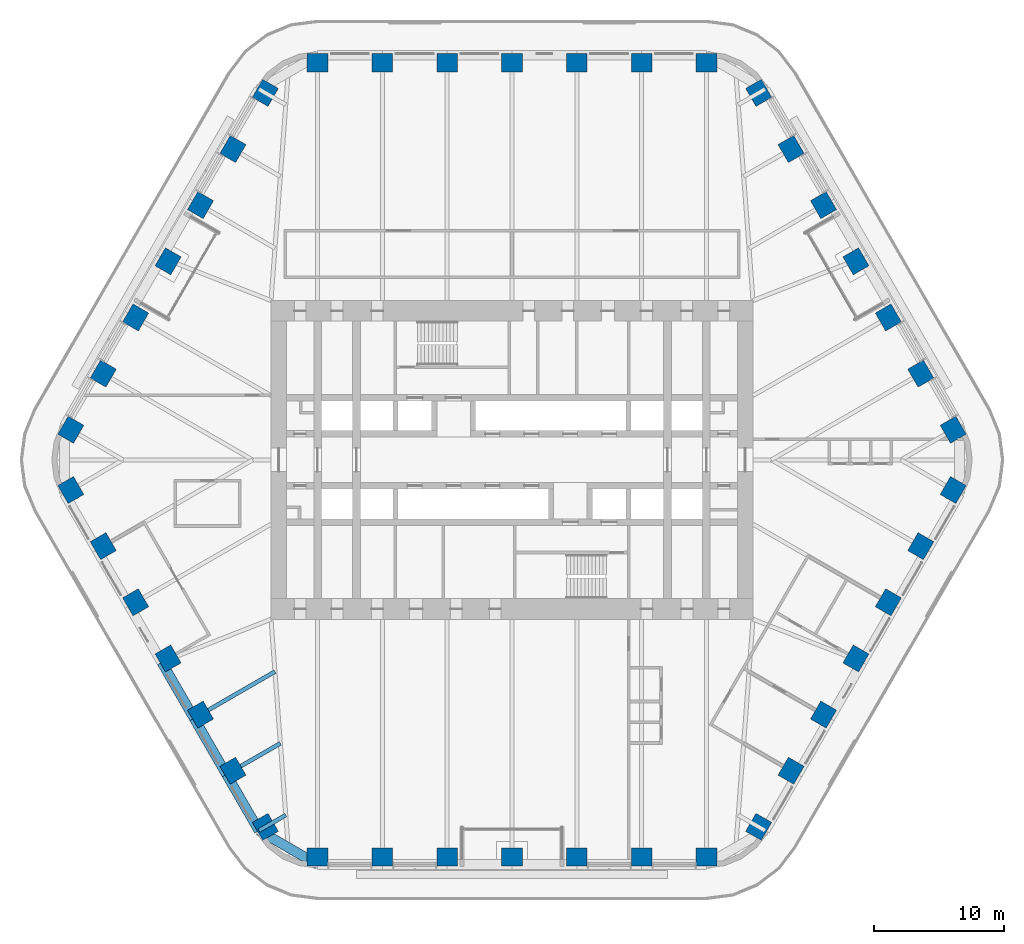
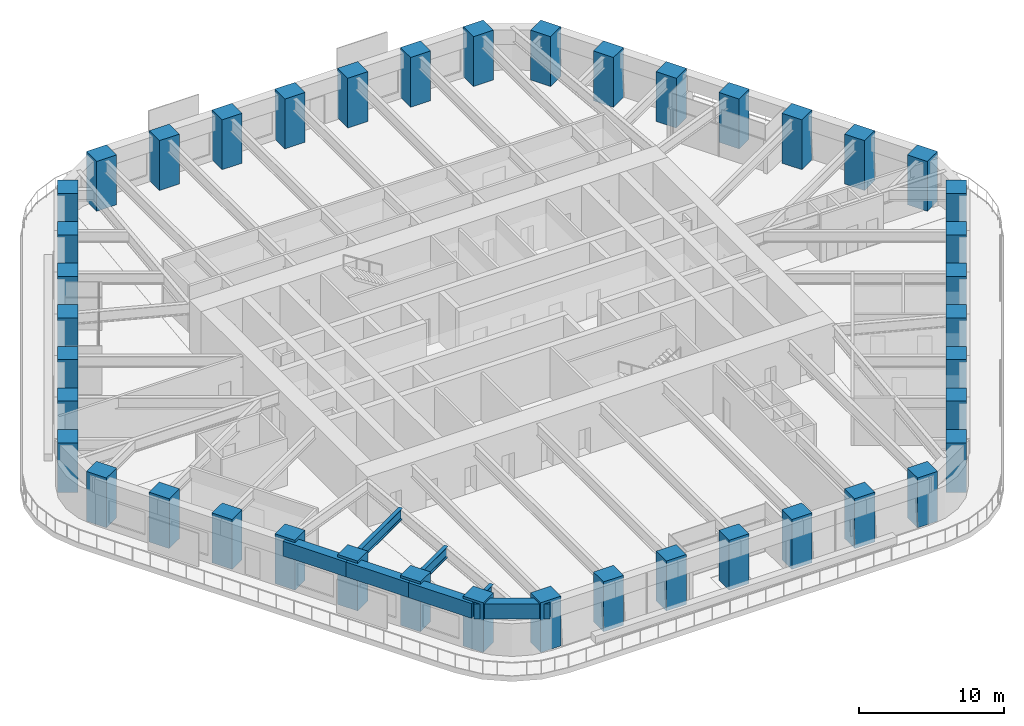
# One storey, part 1 of 24: 42 columns, 7 beams.
"""IFC4 building model written with IfcOpenShell, lengths in metres."""

from ifc_helpers import new_model, si_unit, direction, frame, origin, origin_2d, place, context, subcontext, project, spatial, rectangle, i_section, extrude, material, material_profile, profile_set, type_object, element, save


model = new_model("IFC4")

# Units and contexts
model_context = context("Model", 3, precision=1e-05, world=origin(), true_north=direction((0.0, 1.0)))
body_context = subcontext(model_context, "Body", "Model", "MODEL_VIEW")
ifc_project = project(units=[si_unit("LENGTHUNIT", "METRE"), si_unit("AREAUNIT", "SQUARE_METRE"), si_unit("VOLUMEUNIT", "CUBIC_METRE"), si_unit("PLANEANGLEUNIT", "RADIAN"), si_unit("MASSUNIT", "GRAM", prefix="KILO")], contexts=[model_context])

# Site, building, storey
site_placement = place(None, origin())
site = spatial("IfcSite", under=ifc_project, at=site_placement, CompositionType="ELEMENT")
building_placement = place(site_placement, origin())
building = spatial("IfcBuilding", under=site, at=building_placement, Name="Tarfa Lantern Tower", CompositionType="ELEMENT")
storey_placement = place(building_placement, frame((0.0, 0.0, 161.5)))
storey = spatial("IfcBuildingStorey", under=building, at=storey_placement, Name="L36", CompositionType="ELEMENT", Elevation=161.5)

# Columns
ifc_material_1 = material(Name="Concrete C80/95", Category="concrete")
ifc_material_profile_1 = material_profile(ifc_material_1, rectangle(XDim=1.60009765625, YDim=1.39990234375, at=origin_2d()), Name="RC 1600x1400")
ifc_profile_set_1 = profile_set([ifc_material_profile_1], Name="Concrete C80/95")
column_type = type_object("IfcColumnType", Name="TC7 RC 1600x1400", PredefinedType="COLUMN", material=ifc_profile_set_1)
for number, where, z_axis, x_axis, name in (
    (1, (34.04931640625, 2.324951171875, 0.0), (0.0, 0.0, 1.0), (-0.5, 0.866025403784, 0.0), "Tube column NE0"),
    (2, (31.54736328125, 6.658447265625, 0.0), (0.0, 0.0, 1.0), (-0.5, 0.866025403784, 0.0), "Tube column NE1"),
    (3, (29.04541015625, 10.99169921875, 0.0), (0.0, 0.0, 1.0), (-0.5, 0.866025403784, 0.0), "Tube column NE2"),
    (4, (26.543701171875, 15.324951171875, 0.0), (0.0, 0.0, 1.0), (-0.5, 0.866025403784, 0.0), "Tube column NE3"),
    (5, (24.041748046875, 19.658447265625, 0.0), (0.0, 0.0, 1.0), (-0.5, 0.866025403784, 0.0), "Tube column NE4"),
    (6, (21.5400390625, 23.99169921875, 0.0), (0.0, 0.0, 1.0), (-0.5, 0.866025403784, 0.0), "Tube column NE5"),
    (7, (19.0380859375, 28.324951171875, 0.0), (0.0, 0.0, 1.0), (-0.5, 0.866025403784, 0.0), "Tube column NE6"),
    (8, (15.010986328125, 30.64990234375, 0.0), (0.0, 0.0, 1.0), (-1.0, 0.0, 0.0), "Tube column N0"),
    (9, (10.00732421875, 30.64990234375, 0.0), (0.0, 0.0, 1.0), (-1.0, 0.0, 0.0), "Tube column N1"),
    (10, (5.003662109375, 30.64990234375, 0.0), (0.0, 0.0, 1.0), (-1.0, 0.0, 0.0), "Tube column N2"),
    (11, (0.0, 30.64990234375, 0.0), (0.0, 0.0, 1.0), (-1.0, 0.0, 0.0), "Tube column N3"),
    (12, (-5.003662109375, 30.64990234375, 0.0), (0.0, 0.0, 1.0), (-1.0, 0.0, 0.0), "Tube column N4"),
    (13, (-10.00732421875, 30.64990234375, 0.0), (0.0, 0.0, 1.0), (-1.0, 0.0, 0.0), "Tube column N5"),
    (14, (-15.010986328125, 30.64990234375, 0.0), (0.0, 0.0, 1.0), (-1.0, 0.0, 0.0), "Tube column N6"),
    (15, (-19.0380859375, 28.324951171875, 0.0), (0.0, 0.0, 1.0), (-0.5, -0.866025403784, 0.0), "Tube column NW0"),
    (16, (-21.5400390625, 23.99169921875, 0.0), (0.0, 0.0, 1.0), (-0.5, -0.866025403784, 0.0), "Tube column NW1"),
    (17, (-24.041748046875, 19.658447265625, 0.0), (0.0, 0.0, 1.0), (-0.5, -0.866025403784, 0.0), "Tube column NW2"),
    (18, (-26.543701171875, 15.324951171875, 0.0), (0.0, 0.0, 1.0), (-0.5, -0.866025403784, 0.0), "Tube column NW3"),
    (19, (-29.04541015625, 10.99169921875, 0.0), (0.0, 0.0, 1.0), (-0.5, -0.866025403784, 0.0), "Tube column NW4"),
    (20, (-31.54736328125, 6.658447265625, 0.0), (0.0, 0.0, 1.0), (-0.5, -0.866025403784, 0.0), "Tube column NW5"),
    (21, (-34.04931640625, 2.324951171875, 0.0), (0.0, 0.0, 1.0), (-0.5, -0.866025403784, 0.0), "Tube column NW6"),
    (22, (-34.04931640625, -2.324951171875, 0.0), (0.0, 0.0, 1.0), (0.5, -0.866025403784, 0.0), "Tube column SW0"),
    (23, (-31.54736328125, -6.658447265625, 0.0), (0.0, 0.0, 1.0), (0.5, -0.866025403784, 0.0), "Tube column SW1"),
    (24, (-29.04541015625, -10.99169921875, 0.0), (0.0, 0.0, 1.0), (0.5, -0.866025403784, 0.0), "Tube column SW2"),
    (25, (-26.543701171875, -15.324951171875, 0.0), (0.0, 0.0, 1.0), (0.5, -0.866025403784, 0.0), "Tube column SW3"),
    (26, (-24.041748046875, -19.658447265625, 0.0), (0.0, 0.0, 1.0), (0.5, -0.866025403784, 0.0), "Tube column SW4"),
    (27, (-21.5400390625, -23.99169921875, 0.0), (0.0, 0.0, 1.0), (0.5, -0.866025403784, 0.0), "Tube column SW5"),
    (28, (-19.0380859375, -28.324951171875, 0.0), (0.0, 0.0, 1.0), (0.5, -0.866025403784, 0.0), "Tube column SW6"),
    (29, (-15.010986328125, -30.64990234375, 0.0), (0.0, 0.0, 1.0), (1.0, 0.0, 0.0), "Tube column S0"),
    (30, (-10.00732421875, -30.64990234375, 0.0), (0.0, 0.0, 1.0), (1.0, 0.0, 0.0), "Tube column S1"),
    (31, (-5.003662109375, -30.64990234375, 0.0), (0.0, 0.0, 1.0), (1.0, 0.0, 0.0), "Tube column S2"),
    (32, (0.0, -30.64990234375, 0.0), (0.0, 0.0, 1.0), (1.0, 0.0, 0.0), "Tube column S3"),
    (33, (5.003662109375, -30.64990234375, 0.0), (0.0, 0.0, 1.0), (1.0, 0.0, 0.0), "Tube column S4"),
    (34, (10.00732421875, -30.64990234375, 0.0), (0.0, 0.0, 1.0), (1.0, 0.0, 0.0), "Tube column S5"),
    (35, (15.010986328125, -30.64990234375, 0.0), (0.0, 0.0, 1.0), (1.0, 0.0, 0.0), "Tube column S6"),
    (36, (19.0380859375, -28.324951171875, 0.0), (0.0, 0.0, 1.0), (0.5, 0.866025403784, 0.0), "Tube column SE0"),
    (37, (21.5400390625, -23.99169921875, 0.0), (0.0, 0.0, 1.0), (0.5, 0.866025403784, 0.0), "Tube column SE1"),
    (38, (24.041748046875, -19.658447265625, 0.0), (0.0, 0.0, 1.0), (0.5, 0.866025403784, 0.0), "Tube column SE2"),
    (39, (26.543701171875, -15.324951171875, 0.0), (0.0, 0.0, 1.0), (0.5, 0.866025403784, 0.0), "Tube column SE3"),
    (40, (29.04541015625, -10.99169921875, 0.0), (0.0, 0.0, 1.0), (0.5, 0.866025403784, 0.0), "Tube column SE4"),
    (41, (31.54736328125, -6.658447265625, 0.0), (0.0, 0.0, 1.0), (0.5, 0.866025403784, 0.0), "Tube column SE5"),
    (42, (34.04931640625, -2.324951171875, 0.0), (0.0, 0.0, 1.0), (0.5, 0.866025403784, 0.0), "Tube column SE6"),
):
    element("IfcColumn", number, at=place(storey_placement, frame(where, z_axis=z_axis, x_axis=x_axis)), inside=storey, type_object=column_type, Name=name, PredefinedType="COLUMN", context=body_context, shape_type="SweptSolid", body=[
        extrude(rectangle(XDim=1.60009765625, YDim=1.39990234375, at=origin_2d()), origin(), (0.0, 0.0, 1.0), 4.199951171875),
    ])

# Beams
ifc_material_profile_2 = material_profile(ifc_material_1, rectangle(XDim=0.75, YDim=1.25, at=origin_2d()), Name="RC 750x1250")
ifc_profile_set_2 = profile_set([ifc_material_profile_2], Name="Concrete C80/95")
beam_type_1 = type_object("IfcBeamType", Name="EB2 RC 750x1250", PredefinedType="SPANDREL", material=ifc_profile_set_2)
for number, where, z_axis, x_axis, name in (
    (43, (-27.037353515625, -15.610107421875, 3.375), (0.500022324899, -0.866012514114, 0.0), (0.866012514114, 0.500022324899, 0.0), "Edge beam SW3"),
    (44, (-24.535400390625, -19.943359375, 3.375), (0.49998573051, -0.866033642122, 0.0), (0.866033642122, 0.49998573051, 0.0), "Edge beam SW4"),
):
    element("IfcBeam", number, at=place(storey_placement, frame(where, z_axis=z_axis, x_axis=x_axis)), inside=storey, type_object=beam_type_1, Name=name, PredefinedType="SPANDREL", context=body_context, shape_type="SweptSolid", body=[
        extrude(rectangle(XDim=0.75, YDim=1.25, at=origin_2d()), origin(), (0.0, 0.0, 1.0), 5.003662109375),
    ])
beam_1_placement = place(storey_placement, frame((-22.03369140625, -24.276611328125, 3.375), z_axis=(0.500001197378, -0.866024712477, 0.0), x_axis=(0.866024712477, 0.500001197378, 0.0)))
element("IfcBeam", 45, at=beam_1_placement, inside=storey, type_object=beam_type_1, Name="Edge beam SW5", PredefinedType="SPANDREL", context=body_context, shape_type="SweptSolid", body=[
    extrude(rectangle(XDim=0.75, YDim=1.25, at=origin_2d()), origin(), (0.0, 0.0, 1.0), 5.00390625),
])
beam_2_placement = place(storey_placement, frame((-19.53173828125, -28.610107421875, 3.375), z_axis=(0.86604150238, -0.499972115377, 0.0), x_axis=(0.499972115377, 0.86604150238, 0.0)))
element("IfcBeam", 46, at=beam_2_placement, inside=storey, type_object=beam_type_1, Name="Edge beam SW6", PredefinedType="SPANDREL", context=body_context, shape_type="SweptSolid", body=[
    extrude(rectangle(XDim=0.75, YDim=1.25, at=origin_2d()), origin(), (0.0, 0.0, 1.0), 5.219970703125),
])
ifc_material_2 = material(Name="Steel S460M", Category="steel")
ifc_material_profile_3 = material_profile(ifc_material_2, i_section(OverallWidth=0.305419921875, OverallDepth=0.91845703125, WebThickness=0.017333984375, FlangeThickness=0.02783203125, FilletRadius=0.01904296875, at=origin_2d()), Name="UB914x305x253")
ifc_profile_set_3 = profile_set([ifc_material_profile_3], Name="Steel S460M")
beam_type_2 = type_object("IfcBeamType", Name="UB914x305x253", PredefinedType="BEAM", material=ifc_profile_set_3)
beam_3_placement = place(storey_placement, frame((-24.535400390625, -19.943359375, 3.540771484375), z_axis=(0.86602647304, 0.499998147991, 0.0), x_axis=(-0.499998147991, 0.86602647304, 0.0)))
element("IfcBeam", 47, at=beam_3_placement, inside=storey, type_object=beam_type_2, Name="Floor beam SW4", PredefinedType="BEAM", context=body_context, shape_type="SweptSolid", body=[
    extrude(i_section(OverallWidth=0.305419921875, OverallDepth=0.91845703125, WebThickness=0.017333984375, FlangeThickness=0.02783203125, FilletRadius=0.01904296875, at=origin_2d()), origin(), (0.0, 0.0, 1.0), 7.20556640625),
])
beam_4_placement = place(storey_placement, frame((-22.03369140625, -24.276611328125, 3.540771484375), z_axis=(0.866030550462, 0.499991085587, 0.0), x_axis=(-0.499991085587, 0.866030550462, 0.0)))
element("IfcBeam", 48, at=beam_4_placement, inside=storey, type_object=beam_type_2, Name="Floor beam SW5", PredefinedType="BEAM", context=body_context, shape_type="SweptSolid", body=[
    extrude(i_section(OverallWidth=0.305419921875, OverallDepth=0.91845703125, WebThickness=0.017333984375, FlangeThickness=0.02783203125, FilletRadius=0.01904296875, at=origin_2d()), origin(), (0.0, 0.0, 1.0), 4.798828125),
])
beam_5_placement = place(storey_placement, frame((-19.53173828125, -28.610107421875, 3.540771484375), z_axis=(0.865998640954, 0.500046351717, 0.0), x_axis=(-0.500046351717, 0.865998640954, 0.0)))
element("IfcBeam", 49, at=beam_5_placement, inside=storey, type_object=beam_type_2, Name="Floor beam SW6", PredefinedType="BEAM", context=body_context, shape_type="SweptSolid", body=[
    extrude(i_section(OverallWidth=0.305419921875, OverallDepth=0.91845703125, WebThickness=0.017333984375, FlangeThickness=0.02783203125, FilletRadius=0.01904296875, at=origin_2d()), origin(), (0.0, 0.0, 1.0), 2.392333984375),
])

save(model, "model.ifc")
